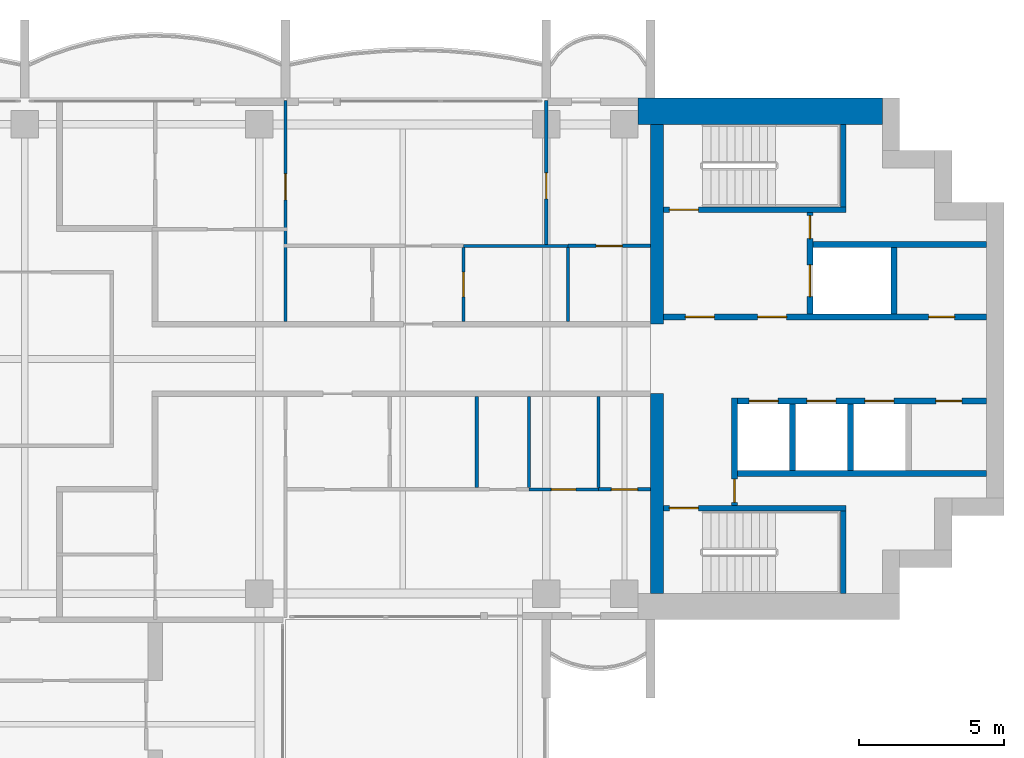
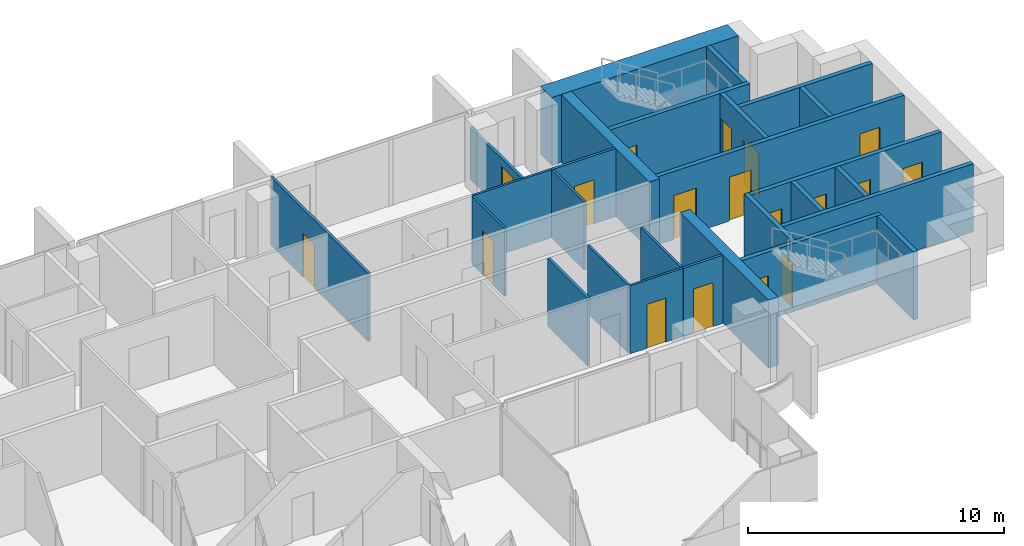
# One storey, part 12 of 17: 27 walls, 18 doors, 18 openings.
"""IFC4 building model written with IfcOpenShell, lengths in metres."""

from ifc_helpers import new_model, si_unit, direction, frame, frame_2d, origin, place, context, subcontext, project, spatial, rectangle, extrude, material, layer, layer_set, type_object, element, fill, save


model = new_model("IFC4")

# Units and contexts
model_context = context("Model", 3, precision=1e-05, world=origin(), true_north=direction((0.0, 1.0)))
body_context = subcontext(model_context, "Body", "Model", "MODEL_VIEW")
ifc_project = project(units=[si_unit("LENGTHUNIT", "METRE"), si_unit("AREAUNIT", "SQUARE_METRE"), si_unit("VOLUMEUNIT", "CUBIC_METRE"), si_unit("PLANEANGLEUNIT", "RADIAN"), si_unit("MASSUNIT", "GRAM", prefix="KILO")], contexts=[model_context])

# Site, building, storey
site_placement = place(None, origin())
site = spatial("IfcSite", under=ifc_project, at=site_placement, CompositionType="ELEMENT")
building_placement = place(site_placement, origin())
building = spatial("IfcBuilding", under=site, at=building_placement, Name="Perihelion Cross Residences", CompositionType="ELEMENT")
storey_placement = place(building_placement, frame((0.0, 0.0, 184.10009765625)))
storey = spatial("IfcBuildingStorey", under=building, at=storey_placement, Name="L45", CompositionType="ELEMENT", Elevation=184.10009765625)

# Walls
ifc_material_1 = material(Name="Concrete C60/75", Category="concrete")
ifc_layer_1 = layer(ifc_material_1, 0.449951171875)
ifc_layer_set_1 = layer_set([ifc_layer_1], Name="Core wall, inner 450")
wall_type_1 = type_object("IfcWallType", Name="Core wall, inner 450", PredefinedType="SHEAR", material=ifc_layer_set_1)
for number, where, z_axis, x_axis, name in (
    (1, (21.824951171875, -8.10009765625, 0.0), (0.0, 0.0, 1.0), (0.0, 1.0, 0.0), "East core core wall, inner"),
    (2, (21.824951171875, 1.199951171875, 0.0), (0.0, 0.0, 1.0), (0.0, 1.0, 0.0), "East core core wall, inner"),
):
    element("IfcWall", number, at=place(storey_placement, frame(where, z_axis=z_axis, x_axis=x_axis)), inside=storey, type_object=wall_type_1, Name=name, PredefinedType="SHEAR", context=body_context, shape_type="SweptSolid", body=[
        extrude(rectangle(XDim=6.900146484375, YDim=0.449951171875, at=frame_2d((3.4501953125, 0.0))), origin(), (0.0, 0.0, 1.0), 3.25),
    ])
ifc_material_2 = material(Name="Concrete C60/75", Category="concrete")
ifc_layer_2 = layer(ifc_material_2, 0.89990234375)
ifc_layer_set_2 = layer_set([ifc_layer_2], Name="Core wall, outer 900")
wall_type_2 = type_object("IfcWallType", Name="Core wall, outer 900", PredefinedType="SHEAR", material=ifc_layer_set_2)
wall_1_placement = place(storey_placement, frame((21.175048828125, 8.550048828125, 0.0), z_axis=(0.0, 0.0, 1.0), x_axis=(1.0, 0.0, 0.0)))
element("IfcWall", 3, at=wall_1_placement, inside=storey, type_object=wall_type_2, Name="East core core wall, outer", PredefinedType="SHEAR", context=body_context, shape_type="SweptSolid", body=[
    extrude(rectangle(XDim=8.425048828125, YDim=0.89990234375, at=frame_2d((4.21240234375, 0.0))), origin(), (0.0, 0.0, 1.0), 3.25),
])

# Wall, opening, door
ifc_material_3 = material(Name="Concrete C50/60", Category="concrete")
ifc_layer_3 = layer(ifc_material_3, 0.199951171875)
ifc_layer_set_3 = layer_set([ifc_layer_3], Name="Lobby wall 200")
wall_type_3 = type_object("IfcWallType", Name="Lobby wall 200", PredefinedType="SOLIDWALL", material=ifc_layer_set_3)
wall_2_placement = place(storey_placement, frame((24.5, -5.050048828125, 0.0), z_axis=(0.0, 0.0, 1.0), x_axis=(0.0, 1.0, 0.0)))
wall_2 = element("IfcWall", 4, at=wall_2_placement, inside=storey, type_object=wall_type_3, Name="East core lobby wall", PredefinedType="SOLIDWALL", context=body_context, shape_type="SweptSolid", body=[
    extrude(rectangle(XDim=3.699951171875, YDim=0.199951171875, at=frame_2d((1.85009765625, 0.0))), origin(), (0.0, 0.0, 1.0), 3.25),
])
opening_1_placement = place(wall_2_placement, frame((0.10009765625, 0.0, 0.0)))
opening_1 = element("IfcOpeningElement", 5, at=opening_1_placement, cuts=wall_2, Name="Opening L45.C08", PredefinedType="OPENING", context=body_context, shape_type="SweptSolid", body=[
    extrude(rectangle(XDim=0.800048828125, YDim=2.10009765625, at=frame_2d((0.39990234375, 1.050048828125))), frame((0.0, 0.10986328125, 0.0), z_axis=(0.0, -1.0, 0.0), x_axis=(1.0, 0.0, 0.0)), (0.0, 0.0, 1.0), 0.219970703125),
])
ifc_material_4 = material(Name="Steel, powder coated", Category="steel")
door_type_1 = type_object("IfcDoorType", Name="Riser door 800", OperationType="SINGLE_SWING_LEFT", PredefinedType="DOOR", material=ifc_material_4)
door_1_placement = place(opening_1_placement, origin())
door_1 = element("IfcDoor", 6, at=door_1_placement, inside=storey, type_object=door_type_1, Name="East core riser door", OperationType="SINGLE_SWING_LEFT", OverallHeight=2.10009765625, OverallWidth=0.800048828125, PredefinedType="DOOR", context=body_context, shape_type="SweptSolid", body=[
    extrude(rectangle(XDim=0.800048828125, YDim=2.10009765625, at=frame_2d((0.39990234375, 1.050048828125))), frame((0.0, 0.02490234375, 0.0), z_axis=(0.0, -1.0, 0.0), x_axis=(1.0, 0.0, 0.0)), (0.0, 0.0, 1.0), 0.050048828125),
])
fill(opening_1, door_1)

ifc_material_5 = material(Name="Plasterboard partition")
ifc_layer_4 = layer(ifc_material_5, 0.1201171875)
ifc_layer_set_4 = layer_set([ifc_layer_4], Name="Partition wall 120")
wall_type_4 = type_object("IfcWallType", Name="Partition wall 120", PredefinedType="PARTITIONING", material=ifc_layer_set_4)
wall_3_placement = place(storey_placement, frame((9.0, 1.300048828125, 0.0), z_axis=(0.0, 0.0, 1.0), x_axis=(0.0, 1.0, 0.0)))
wall_3 = element("IfcWall", 7, at=wall_3_placement, inside=storey, type_object=wall_type_4, Name="Partition L45 W024", PredefinedType="PARTITIONING", context=body_context, shape_type="SweptSolid", body=[
    extrude(rectangle(XDim=7.619873046875, YDim=0.1201171875, at=frame_2d((3.81005859375, 0.0))), origin(), (0.0, 0.0, 1.0), 3.25),
])
opening_2_placement = place(wall_3_placement, frame((4.18798828125, 0.0, 0.0)))
opening_2 = element("IfcOpeningElement", 8, at=opening_2_placement, cuts=wall_3, Name="Opening L45.A06", PredefinedType="OPENING", context=body_context, shape_type="SweptSolid", body=[
    extrude(rectangle(XDim=0.89990234375, YDim=2.10009765625, at=frame_2d((0.449951171875, 1.050048828125))), frame((0.0, 0.070068359375, 0.0), z_axis=(0.0, -1.0, 0.0), x_axis=(1.0, 0.0, 0.0)), (0.0, 0.0, 1.0), 0.14013671875),
])
ifc_material_6 = material(Name="Timber door leaf", Category="wood")
door_type_2 = type_object("IfcDoorType", Name="Interior room door 900 x 2100", OperationType="SINGLE_SWING_LEFT", PredefinedType="DOOR", material=ifc_material_6)
door_2_placement = place(opening_2_placement, origin())
door_2 = element("IfcDoor", 9, at=door_2_placement, inside=storey, type_object=door_type_2, Name="Door L45.A06", OperationType="SINGLE_SWING_RIGHT", OverallHeight=2.10009765625, OverallWidth=0.89990234375, PredefinedType="DOOR", context=body_context, shape_type="SweptSolid", body=[
    extrude(rectangle(XDim=0.89990234375, YDim=2.10009765625, at=frame_2d((0.449951171875, 1.050048828125))), frame((0.0, 0.02490234375, 0.0), z_axis=(0.0, -1.0, 0.0), x_axis=(1.0, 0.0, 0.0)), (0.0, 0.0, 1.0), 0.050048828125),
])
fill(opening_2, door_2)

wall_4_placement = place(storey_placement, frame((18.75, 3.89990234375, 0.0), z_axis=(0.0, 0.0, 1.0), x_axis=(1.0, 0.0, 0.0)))
wall_4 = element("IfcWall", 10, at=wall_4_placement, inside=storey, type_object=wall_type_4, Name="Partition L45 W028", PredefinedType="PARTITIONING", context=body_context, shape_type="SweptSolid", body=[
    extrude(rectangle(XDim=2.85009765625, YDim=0.1201171875, at=frame_2d((1.425048828125, 0.0))), origin(), (0.0, 0.0, 1.0), 3.25),
])
opening_3_placement = place(wall_4_placement, frame((0.97509765625, 0.0, 0.0)))
opening_3 = element("IfcOpeningElement", 11, at=opening_3_placement, cuts=wall_4, Name="Opening L45.A09", PredefinedType="OPENING", context=body_context, shape_type="SweptSolid", body=[
    extrude(rectangle(XDim=0.89990234375, YDim=2.10009765625, at=frame_2d((0.449951171875, 1.050048828125))), frame((0.0, 0.070068359375, 0.0), z_axis=(0.0, -1.0, 0.0), x_axis=(1.0, 0.0, 0.0)), (0.0, 0.0, 1.0), 0.14013671875),
])
door_3_placement = place(opening_3_placement, origin())
door_3 = element("IfcDoor", 12, at=door_3_placement, inside=storey, type_object=door_type_2, Name="Door L45.A09", OperationType="SINGLE_SWING_RIGHT", OverallHeight=2.10009765625, OverallWidth=0.89990234375, PredefinedType="DOOR", context=body_context, shape_type="SweptSolid", body=[
    extrude(rectangle(XDim=0.89990234375, YDim=2.10009765625, at=frame_2d((0.449951171875, 1.050048828125))), frame((0.0, 0.02490234375, 0.0), z_axis=(0.0, -1.0, 0.0), x_axis=(1.0, 0.0, 0.0)), (0.0, 0.0, 1.0), 0.050048828125),
])
fill(opening_3, door_3)

wall_5_placement = place(storey_placement, frame((18.0, 8.919921875, 0.0), z_axis=(0.0, 0.0, 1.0), x_axis=(0.0, -1.0, 0.0)))
wall_5 = element("IfcWall", 13, at=wall_5_placement, inside=storey, type_object=wall_type_4, Name="Partition L45 W029", PredefinedType="PARTITIONING", context=body_context, shape_type="SweptSolid", body=[
    extrude(rectangle(XDim=4.969970703125, YDim=0.1201171875, at=frame_2d((2.48486328125, 0.0))), origin(), (0.0, 0.0, 1.0), 2.47998046875),
])
opening_4_placement = place(wall_5_placement, frame((2.4951171875, 0.0, 0.0)))
opening_4 = element("IfcOpeningElement", 14, at=opening_4_placement, cuts=wall_5, Name="Opening L45.A02", PredefinedType="OPENING", context=body_context, shape_type="SweptSolid", body=[
    extrude(rectangle(XDim=0.89990234375, YDim=2.10009765625, at=frame_2d((0.449951171875, 1.050048828125))), frame((0.0, 0.070068359375, 0.0), z_axis=(0.0, -1.0, 0.0), x_axis=(1.0, 0.0, 0.0)), (0.0, 0.0, 1.0), 0.14013671875),
])
door_4_placement = place(opening_4_placement, origin())
door_4 = element("IfcDoor", 15, at=door_4_placement, inside=storey, type_object=door_type_2, Name="Door L45.A02", OperationType="SINGLE_SWING_LEFT", OverallHeight=2.10009765625, OverallWidth=0.89990234375, PredefinedType="DOOR", context=body_context, shape_type="SweptSolid", body=[
    extrude(rectangle(XDim=0.89990234375, YDim=2.10009765625, at=frame_2d((0.449951171875, 1.050048828125))), frame((0.0, 0.02490234375, 0.0), z_axis=(0.0, -1.0, 0.0), x_axis=(1.0, 0.0, 0.0)), (0.0, 0.0, 1.0), 0.050048828125),
])
fill(opening_4, door_4)

# Wall
wall_6_placement = place(storey_placement, frame((15.60009765625, -1.300048828125, 0.0), z_axis=(0.0, 0.0, 1.0), x_axis=(0.0, -1.0, 0.0)))
element("IfcWall", 16, at=wall_6_placement, inside=storey, type_object=wall_type_4, Name="Partition L45 W035", PredefinedType="PARTITIONING", context=body_context, shape_type="SweptSolid", body=[
    extrude(rectangle(XDim=3.139892578125, YDim=0.1201171875, at=frame_2d((1.56982421875, 0.0))), origin(), (0.0, 0.0, 1.0), 3.25),
])

# Wall, opening, door
wall_7_placement = place(storey_placement, frame((21.60009765625, -4.5, 0.0), z_axis=(0.0, 0.0, 1.0), x_axis=(-1.0, 0.0, 0.0)))
wall_7 = element("IfcWall", 17, at=wall_7_placement, inside=storey, type_object=wall_type_4, Name="Partition L45 W039", PredefinedType="PARTITIONING", context=body_context, shape_type="SweptSolid", body=[
    extrude(rectangle(XDim=1.800048828125, YDim=0.1201171875, at=frame_2d((0.89990234375, 0.0))), origin(), (0.0, 0.0, 1.0), 3.25),
])
opening_5_placement = place(wall_7_placement, frame((0.449951171875, 0.0, 0.0)))
opening_5 = element("IfcOpeningElement", 18, at=opening_5_placement, cuts=wall_7, Name="Opening L45.A11", PredefinedType="OPENING", context=body_context, shape_type="SweptSolid", body=[
    extrude(rectangle(XDim=0.89990234375, YDim=2.10009765625, at=frame_2d((0.449951171875, 1.050048828125))), frame((0.0, 0.070068359375, 0.0), z_axis=(0.0, -1.0, 0.0), x_axis=(1.0, 0.0, 0.0)), (0.0, 0.0, 1.0), 0.14013671875),
])
door_5_placement = place(opening_5_placement, origin())
door_5 = element("IfcDoor", 19, at=door_5_placement, inside=storey, type_object=door_type_2, Name="Door L45.A11", OperationType="SINGLE_SWING_LEFT", OverallHeight=2.10009765625, OverallWidth=0.89990234375, PredefinedType="DOOR", context=body_context, shape_type="SweptSolid", body=[
    extrude(rectangle(XDim=0.89990234375, YDim=2.10009765625, at=frame_2d((0.449951171875, 1.050048828125))), frame((0.0, 0.02490234375, 0.0), z_axis=(0.0, -1.0, 0.0), x_axis=(1.0, 0.0, 0.0)), (0.0, 0.0, 1.0), 0.050048828125),
])
fill(opening_5, door_5)

# Wall, openings, doors
ifc_material_7 = material(Name="Concrete C50/60", Category="concrete")
ifc_layer_5 = layer(ifc_material_7, 0.199951171875)
ifc_layer_set_5 = layer_set([ifc_layer_5], Name="Shaft wall 200")
wall_type_5 = type_object("IfcWallType", Name="Shaft wall 200", PredefinedType="SOLIDWALL", material=ifc_layer_set_5)
wall_8_placement = place(storey_placement, frame((22.050048828125, 1.449951171875, 0.0), z_axis=(0.0, 0.0, 1.0), x_axis=(1.0, 0.0, 0.0)))
wall_8 = element("IfcWall", 20, at=wall_8_placement, inside=storey, type_object=wall_type_5, Name="East core shaft wall", PredefinedType="SOLIDWALL", context=body_context, shape_type="SweptSolid", body=[
    extrude(rectangle(XDim=11.14990234375, YDim=0.199951171875, at=frame_2d((5.574951171875, 0.0))), origin(), (0.0, 0.0, 1.0), 3.25),
])
opening_6_placement = place(wall_8_placement, frame((0.75, 0.0, 0.0)))
opening_6 = element("IfcOpeningElement", 21, at=opening_6_placement, cuts=wall_8, Name="Opening L45.C07", PredefinedType="OPENING", context=body_context, shape_type="SweptSolid", body=[
    extrude(rectangle(XDim=1.0, YDim=2.10009765625, at=frame_2d((0.5, 1.050048828125))), frame((0.0, 0.10986328125, 0.0), z_axis=(0.0, -1.0, 0.0), x_axis=(1.0, 0.0, 0.0)), (0.0, 0.0, 1.0), 0.219970703125),
])
opening_7_placement = place(wall_8_placement, frame((3.25, 0.0, 0.0)))
opening_7 = element("IfcOpeningElement", 22, at=opening_7_placement, cuts=wall_8, Name="Opening L45.C09", PredefinedType="OPENING", context=body_context, shape_type="SweptSolid", body=[
    extrude(rectangle(XDim=1.0, YDim=2.10009765625, at=frame_2d((0.5, 1.050048828125))), frame((0.0, 0.10986328125, 0.0), z_axis=(0.0, -1.0, 0.0), x_axis=(1.0, 0.0, 0.0)), (0.0, 0.0, 1.0), 0.219970703125),
])
opening_8_placement = place(wall_8_placement, frame((9.14990234375, 0.0, 0.0)))
opening_8 = element("IfcOpeningElement", 23, at=opening_8_placement, cuts=wall_8, Name="Opening L45.C11", PredefinedType="OPENING", context=body_context, shape_type="SweptSolid", body=[
    extrude(rectangle(XDim=0.89990234375, YDim=2.10009765625, at=frame_2d((0.449951171875, 1.050048828125))), frame((0.0, 0.10986328125, 0.0), z_axis=(0.0, -1.0, 0.0), x_axis=(1.0, 0.0, 0.0)), (0.0, 0.0, 1.0), 0.219970703125),
])
ifc_material_8 = material(Name="Steel, powder coated", Category="steel")
door_type_3 = type_object("IfcDoorType", Name="Lobby door 1000", OperationType="SINGLE_SWING_LEFT", PredefinedType="DOOR", material=ifc_material_8)
door_6_placement = place(opening_6_placement, origin())
door_6 = element("IfcDoor", 24, at=door_6_placement, inside=storey, type_object=door_type_3, Name="East core firefighting lobby door", OperationType="SINGLE_SWING_LEFT", OverallHeight=2.10009765625, OverallWidth=1.0, PredefinedType="DOOR", context=body_context, shape_type="SweptSolid", body=[
    extrude(rectangle(XDim=1.0, YDim=2.10009765625, at=frame_2d((0.5, 1.050048828125))), frame((0.0, 0.02490234375, 0.0), z_axis=(0.0, -1.0, 0.0), x_axis=(1.0, 0.0, 0.0)), (0.0, 0.0, 1.0), 0.050048828125),
])
fill(opening_6, door_6)
door_7_placement = place(opening_7_placement, origin())
door_7 = element("IfcDoor", 25, at=door_7_placement, inside=storey, type_object=door_type_3, Name="East core firefighting lobby door", OperationType="SINGLE_SWING_LEFT", OverallHeight=2.10009765625, OverallWidth=1.0, PredefinedType="DOOR", context=body_context, shape_type="SweptSolid", body=[
    extrude(rectangle(XDim=1.0, YDim=2.10009765625, at=frame_2d((0.5, 1.050048828125))), frame((0.0, 0.02490234375, 0.0), z_axis=(0.0, -1.0, 0.0), x_axis=(1.0, 0.0, 0.0)), (0.0, 0.0, 1.0), 0.050048828125),
])
fill(opening_7, door_7)
ifc_material_9 = material(Name="Steel, powder coated", Category="steel")
door_type_4 = type_object("IfcDoorType", Name="Service room door 900", OperationType="SINGLE_SWING_LEFT", PredefinedType="DOOR", material=ifc_material_9)
door_8_placement = place(opening_8_placement, origin())
door_8 = element("IfcDoor", 26, at=door_8_placement, inside=storey, type_object=door_type_4, Name="East core service room door", OperationType="SINGLE_SWING_LEFT", OverallHeight=2.10009765625, OverallWidth=0.89990234375, PredefinedType="DOOR", context=body_context, shape_type="SweptSolid", body=[
    extrude(rectangle(XDim=0.89990234375, YDim=2.10009765625, at=frame_2d((0.449951171875, 1.050048828125))), frame((0.0, 0.02490234375, 0.0), z_axis=(0.0, -1.0, 0.0), x_axis=(1.0, 0.0, 0.0)), (0.0, 0.0, 1.0), 0.050048828125),
])
fill(opening_8, door_8)

wall_9_placement = place(storey_placement, frame((24.60009765625, -1.449951171875, 0.0), z_axis=(0.0, 0.0, 1.0), x_axis=(1.0, 0.0, 0.0)))
wall_9 = element("IfcWall", 27, at=wall_9_placement, inside=storey, type_object=wall_type_5, Name="East core shaft wall", PredefinedType="SOLIDWALL", context=body_context, shape_type="SweptSolid", body=[
    extrude(rectangle(XDim=8.599853515625, YDim=0.199951171875, at=frame_2d((4.2998046875, 0.0))), origin(), (0.0, 0.0, 1.0), 3.25),
])
opening_9_placement = place(wall_9_placement, frame((0.39990234375, 0.0, 0.0)))
opening_9 = element("IfcOpeningElement", 28, at=opening_9_placement, cuts=wall_9, Name="Opening L45.C01", PredefinedType="OPENING", context=body_context, shape_type="SweptSolid", body=[
    extrude(rectangle(XDim=1.0, YDim=2.10009765625, at=frame_2d((0.5, 1.050048828125))), frame((0.0, 0.10986328125, 0.0), z_axis=(0.0, -1.0, 0.0), x_axis=(1.0, 0.0, 0.0)), (0.0, 0.0, 1.0), 0.219970703125),
])
opening_10_placement = place(wall_9_placement, frame((2.39990234375, 0.0, 0.0)))
opening_10 = element("IfcOpeningElement", 29, at=opening_10_placement, cuts=wall_9, Name="Opening L45.C03", PredefinedType="OPENING", context=body_context, shape_type="SweptSolid", body=[
    extrude(rectangle(XDim=1.0, YDim=2.10009765625, at=frame_2d((0.5, 1.050048828125))), frame((0.0, 0.10986328125, 0.0), z_axis=(0.0, -1.0, 0.0), x_axis=(1.0, 0.0, 0.0)), (0.0, 0.0, 1.0), 0.219970703125),
])
opening_11_placement = place(wall_9_placement, frame((4.39990234375, 0.0, 0.0)))
opening_11 = element("IfcOpeningElement", 30, at=opening_11_placement, cuts=wall_9, Name="Opening L45.C04", PredefinedType="OPENING", context=body_context, shape_type="SweptSolid", body=[
    extrude(rectangle(XDim=1.0, YDim=2.10009765625, at=frame_2d((0.5, 1.050048828125))), frame((0.0, 0.10986328125, 0.0), z_axis=(0.0, -1.0, 0.0), x_axis=(1.0, 0.0, 0.0)), (0.0, 0.0, 1.0), 0.219970703125),
])
opening_12_placement = place(wall_9_placement, frame((6.85009765625, 0.0, 0.0)))
opening_12 = element("IfcOpeningElement", 31, at=opening_12_placement, cuts=wall_9, Name="Opening L45.C12", PredefinedType="OPENING", context=body_context, shape_type="SweptSolid", body=[
    extrude(rectangle(XDim=0.89990234375, YDim=2.10009765625, at=frame_2d((0.449951171875, 1.050048828125))), frame((0.0, 0.10986328125, 0.0), z_axis=(0.0, -1.0, 0.0), x_axis=(1.0, 0.0, 0.0)), (0.0, 0.0, 1.0), 0.219970703125),
])
ifc_material_10 = material(Name="Stainless steel", Category="steel")
door_type_5 = type_object("IfcDoorType", Name="Landing door 1000", OperationType="DOUBLE_DOOR_SLIDING", PredefinedType="DOOR", material=ifc_material_10)
door_9_placement = place(opening_9_placement, origin())
door_9 = element("IfcDoor", 32, at=door_9_placement, inside=storey, type_object=door_type_5, Name="Landing door, East core high-rise lift 1", OperationType="DOUBLE_DOOR_SLIDING", OverallHeight=2.10009765625, OverallWidth=1.0, PredefinedType="DOOR", context=body_context, shape_type="SweptSolid", body=[
    extrude(rectangle(XDim=1.0, YDim=2.10009765625, at=frame_2d((0.5, 1.050048828125))), frame((0.0, 0.02490234375, 0.0), z_axis=(0.0, -1.0, 0.0), x_axis=(1.0, 0.0, 0.0)), (0.0, 0.0, 1.0), 0.050048828125),
])
fill(opening_9, door_9)
door_10_placement = place(opening_10_placement, origin())
door_10 = element("IfcDoor", 33, at=door_10_placement, inside=storey, type_object=door_type_5, Name="Landing door, East core high-rise lift 2", OperationType="DOUBLE_DOOR_SLIDING", OverallHeight=2.10009765625, OverallWidth=1.0, PredefinedType="DOOR", context=body_context, shape_type="SweptSolid", body=[
    extrude(rectangle(XDim=1.0, YDim=2.10009765625, at=frame_2d((0.5, 1.050048828125))), frame((0.0, 0.02490234375, 0.0), z_axis=(0.0, -1.0, 0.0), x_axis=(1.0, 0.0, 0.0)), (0.0, 0.0, 1.0), 0.050048828125),
])
fill(opening_10, door_10)
door_11_placement = place(opening_11_placement, origin())
door_11 = element("IfcDoor", 34, at=door_11_placement, inside=storey, type_object=door_type_5, Name="Landing door, East core high-rise lift 3", OperationType="DOUBLE_DOOR_SLIDING", OverallHeight=2.10009765625, OverallWidth=1.0, PredefinedType="DOOR", context=body_context, shape_type="SweptSolid", body=[
    extrude(rectangle(XDim=1.0, YDim=2.10009765625, at=frame_2d((0.5, 1.050048828125))), frame((0.0, 0.02490234375, 0.0), z_axis=(0.0, -1.0, 0.0), x_axis=(1.0, 0.0, 0.0)), (0.0, 0.0, 1.0), 0.050048828125),
])
fill(opening_11, door_11)
door_12_placement = place(opening_12_placement, origin())
door_12 = element("IfcDoor", 35, at=door_12_placement, inside=storey, type_object=door_type_4, Name="East core service room door", OperationType="SINGLE_SWING_LEFT", OverallHeight=2.10009765625, OverallWidth=0.89990234375, PredefinedType="DOOR", context=body_context, shape_type="SweptSolid", body=[
    extrude(rectangle(XDim=0.89990234375, YDim=2.10009765625, at=frame_2d((0.449951171875, 1.050048828125))), frame((0.0, 0.02490234375, 0.0), z_axis=(0.0, -1.0, 0.0), x_axis=(1.0, 0.0, 0.0)), (0.0, 0.0, 1.0), 0.050048828125),
])
fill(opening_12, door_12)

# Walls
wall_10_placement = place(storey_placement, frame((27.199951171875, 3.949951171875, 0.0), z_axis=(0.0, 0.0, 1.0), x_axis=(1.0, 0.0, 0.0)))
element("IfcWall", 36, at=wall_10_placement, inside=storey, type_object=wall_type_5, Name="East core shaft wall", PredefinedType="SOLIDWALL", context=body_context, shape_type="SweptSolid", body=[
    extrude(rectangle(XDim=6.0, YDim=0.199951171875, at=frame_2d((3.0, 0.0))), origin(), (0.0, 0.0, 1.0), 3.25),
])
wall_11_placement = place(storey_placement, frame((24.60009765625, -3.949951171875, 0.0), z_axis=(0.0, 0.0, 1.0), x_axis=(1.0, 0.0, 0.0)))
element("IfcWall", 37, at=wall_11_placement, inside=storey, type_object=wall_type_5, Name="East core shaft wall", PredefinedType="SOLIDWALL", context=body_context, shape_type="SweptSolid", body=[
    extrude(rectangle(XDim=8.599853515625, YDim=0.199951171875, at=frame_2d((4.2998046875, 0.0))), origin(), (0.0, 0.0, 1.0), 3.25),
])

# Wall, openings, doors
wall_12_placement = place(storey_placement, frame((27.10009765625, 1.550048828125, 0.0), z_axis=(0.0, 0.0, 1.0), x_axis=(0.0, 1.0, 0.0)))
wall_12 = element("IfcWall", 38, at=wall_12_placement, inside=storey, type_object=wall_type_5, Name="East core shaft wall", PredefinedType="SOLIDWALL", context=body_context, shape_type="SweptSolid", body=[
    extrude(rectangle(XDim=3.5, YDim=0.199951171875, at=frame_2d((1.75, 0.0))), origin(), (0.0, 0.0, 1.0), 3.25),
])
opening_13_placement = place(wall_12_placement, frame((0.60009765625, 0.0, 0.0)))
opening_13 = element("IfcOpeningElement", 39, at=opening_13_placement, cuts=wall_12, Name="Opening L45.C02", PredefinedType="OPENING", context=body_context, shape_type="SweptSolid", body=[
    extrude(rectangle(XDim=1.10009765625, YDim=2.10009765625, at=frame_2d((0.550048828125, 1.050048828125))), frame((0.0, 0.10986328125, 0.0), z_axis=(0.0, -1.0, 0.0), x_axis=(1.0, 0.0, 0.0)), (0.0, 0.0, 1.0), 0.219970703125),
])
opening_14_placement = place(wall_12_placement, frame((2.60009765625, 0.0, 0.0)))
opening_14 = element("IfcOpeningElement", 40, at=opening_14_placement, cuts=wall_12, Name="Opening L45.C10", PredefinedType="OPENING", context=body_context, shape_type="SweptSolid", body=[
    extrude(rectangle(XDim=0.800048828125, YDim=2.10009765625, at=frame_2d((0.39990234375, 1.050048828125))), frame((0.0, 0.10986328125, 0.0), z_axis=(0.0, -1.0, 0.0), x_axis=(1.0, 0.0, 0.0)), (0.0, 0.0, 1.0), 0.219970703125),
])
ifc_material_11 = material(Name="Stainless steel", Category="steel")
door_type_6 = type_object("IfcDoorType", Name="Landing door, firefighting lift 1100", OperationType="DOUBLE_DOOR_SLIDING", PredefinedType="DOOR", material=ifc_material_11)
door_13_placement = place(opening_13_placement, origin())
door_13 = element("IfcDoor", 41, at=door_13_placement, inside=storey, type_object=door_type_6, Name="Landing door, East core firefighting and service lift", OperationType="DOUBLE_DOOR_SLIDING", OverallHeight=2.10009765625, OverallWidth=1.10009765625, PredefinedType="DOOR", context=body_context, shape_type="SweptSolid", body=[
    extrude(rectangle(XDim=1.10009765625, YDim=2.10009765625, at=frame_2d((0.550048828125, 1.050048828125))), frame((0.0, 0.02490234375, 0.0), z_axis=(0.0, -1.0, 0.0), x_axis=(1.0, 0.0, 0.0)), (0.0, 0.0, 1.0), 0.050048828125),
])
fill(opening_13, door_13)
door_14_placement = place(opening_14_placement, origin())
door_14 = element("IfcDoor", 42, at=door_14_placement, inside=storey, type_object=door_type_1, Name="East core riser door", OperationType="SINGLE_SWING_LEFT", OverallHeight=2.10009765625, OverallWidth=0.800048828125, PredefinedType="DOOR", context=body_context, shape_type="SweptSolid", body=[
    extrude(rectangle(XDim=0.800048828125, YDim=2.10009765625, at=frame_2d((0.39990234375, 1.050048828125))), frame((0.0, 0.02490234375, 0.0), z_axis=(0.0, -1.0, 0.0), x_axis=(1.0, 0.0, 0.0)), (0.0, 0.0, 1.0), 0.050048828125),
])
fill(opening_14, door_14)

# Walls
for number, where, z_axis, x_axis, name in (
    (43, (30.0, 1.550048828125, 0.0), (0.0, 0.0, 1.0), (0.0, 1.0, 0.0), "East core shaft wall"),
    (44, (26.5, -3.85009765625, 0.0), (0.0, 0.0, 1.0), (0.0, 1.0, 0.0), "East core shaft wall"),
    (45, (28.5, -3.85009765625, 0.0), (0.0, 0.0, 1.0), (0.0, 1.0, 0.0), "East core shaft wall"),
):
    element("IfcWall", number, at=place(storey_placement, frame(where, z_axis=z_axis, x_axis=x_axis)), inside=storey, type_object=wall_type_5, Name=name, PredefinedType="SOLIDWALL", context=body_context, shape_type="SweptSolid", body=[
        extrude(rectangle(XDim=2.300048828125, YDim=0.199951171875, at=frame_2d((1.14990234375, 0.0))), origin(), (0.0, 0.0, 1.0), 3.25),
    ])

# Wall, opening, door
ifc_material_12 = material(Name="Concrete C50/60", Category="concrete")
ifc_layer_6 = layer(ifc_material_12, 0.199951171875)
ifc_layer_set_6 = layer_set([ifc_layer_6], Name="Stair wall 200")
wall_type_6 = type_object("IfcWallType", Name="Stair wall 200", PredefinedType="SOLIDWALL", material=ifc_layer_set_6)
wall_13_placement = place(storey_placement, frame((22.050048828125, 5.14990234375, 0.0), z_axis=(0.0, 0.0, 1.0), x_axis=(1.0, 0.0, 0.0)))
wall_13 = element("IfcWall", 46, at=wall_13_placement, inside=storey, type_object=wall_type_6, Name="East core stair wall", PredefinedType="SOLIDWALL", context=body_context, shape_type="SweptSolid", body=[
    extrude(rectangle(XDim=6.300048828125, YDim=0.199951171875, at=frame_2d((3.14990234375, 0.0))), origin(), (0.0, 0.0, 1.0), 3.25),
])
opening_15_placement = place(wall_13_placement, frame((0.199951171875, 0.0, 0.0)))
opening_15 = element("IfcOpeningElement", 47, at=opening_15_placement, cuts=wall_13, Name="Opening L45.C06", PredefinedType="OPENING", context=body_context, shape_type="SweptSolid", body=[
    extrude(rectangle(XDim=1.0, YDim=2.10009765625, at=frame_2d((0.5, 1.050048828125))), frame((0.0, 0.10986328125, 0.0), z_axis=(0.0, -1.0, 0.0), x_axis=(1.0, 0.0, 0.0)), (0.0, 0.0, 1.0), 0.219970703125),
])
ifc_material_13 = material(Name="Steel, powder coated", Category="steel")
door_type_7 = type_object("IfcDoorType", Name="Stair door 1000", OperationType="SINGLE_SWING_LEFT", PredefinedType="DOOR", material=ifc_material_13)
door_15_placement = place(opening_15_placement, origin())
door_15 = element("IfcDoor", 48, at=door_15_placement, inside=storey, type_object=door_type_7, Name="East core stair door", OperationType="SINGLE_SWING_LEFT", OverallHeight=2.10009765625, OverallWidth=1.0, PredefinedType="DOOR", context=body_context, shape_type="SweptSolid", body=[
    extrude(rectangle(XDim=1.0, YDim=2.10009765625, at=frame_2d((0.5, 1.050048828125))), frame((0.0, 0.02490234375, 0.0), z_axis=(0.0, -1.0, 0.0), x_axis=(1.0, 0.0, 0.0)), (0.0, 0.0, 1.0), 0.050048828125),
])
fill(opening_15, door_15)

wall_14_placement = place(storey_placement, frame((22.050048828125, -5.14990234375, 0.0), z_axis=(0.0, 0.0, 1.0), x_axis=(1.0, 0.0, 0.0)))
wall_14 = element("IfcWall", 49, at=wall_14_placement, inside=storey, type_object=wall_type_6, Name="East core stair wall", PredefinedType="SOLIDWALL", context=body_context, shape_type="SweptSolid", body=[
    extrude(rectangle(XDim=6.300048828125, YDim=0.199951171875, at=frame_2d((3.14990234375, 0.0))), origin(), (0.0, 0.0, 1.0), 3.25),
])
opening_16_placement = place(wall_14_placement, frame((0.199951171875, 0.0, 0.0)))
opening_16 = element("IfcOpeningElement", 50, at=opening_16_placement, cuts=wall_14, Name="Opening L45.C05", PredefinedType="OPENING", context=body_context, shape_type="SweptSolid", body=[
    extrude(rectangle(XDim=1.0, YDim=2.10009765625, at=frame_2d((0.5, 1.050048828125))), frame((0.0, 0.10986328125, 0.0), z_axis=(0.0, -1.0, 0.0), x_axis=(1.0, 0.0, 0.0)), (0.0, 0.0, 1.0), 0.219970703125),
])
door_16_placement = place(opening_16_placement, origin())
door_16 = element("IfcDoor", 51, at=door_16_placement, inside=storey, type_object=door_type_7, Name="East core stair door", OperationType="SINGLE_SWING_LEFT", OverallHeight=2.10009765625, OverallWidth=1.0, PredefinedType="DOOR", context=body_context, shape_type="SweptSolid", body=[
    extrude(rectangle(XDim=1.0, YDim=2.10009765625, at=frame_2d((0.5, 1.050048828125))), frame((0.0, 0.02490234375, 0.0), z_axis=(0.0, -1.0, 0.0), x_axis=(1.0, 0.0, 0.0)), (0.0, 0.0, 1.0), 0.050048828125),
])
fill(opening_16, door_16)

# Walls
for number, where, z_axis, x_axis, name in (
    (52, (28.25, 5.25, 0.0), (0.0, 0.0, 1.0), (0.0, 1.0, 0.0), "East core stair wall"),
    (53, (28.25, -8.10009765625, 0.0), (0.0, 0.0, 1.0), (0.0, 1.0, 0.0), "East core stair wall"),
):
    element("IfcWall", number, at=place(storey_placement, frame(where, z_axis=z_axis, x_axis=x_axis)), inside=storey, type_object=wall_type_6, Name=name, PredefinedType="SOLIDWALL", context=body_context, shape_type="SweptSolid", body=[
        extrude(rectangle(XDim=2.85009765625, YDim=0.199951171875, at=frame_2d((1.425048828125, 0.0))), origin(), (0.0, 0.0, 1.0), 3.25),
    ])

# Wall, opening, door
ifc_material_14 = material(Name="Plasterboard partition")
ifc_layer_7 = layer(ifc_material_14, 0.10009765625)
ifc_layer_set_7 = layer_set([ifc_layer_7], Name="Wet room wall 100")
wall_type_7 = type_object("IfcWallType", Name="Wet room wall 100", PredefinedType="PARTITIONING", material=ifc_layer_set_7)
wall_15_placement = place(storey_placement, frame((15.14990234375, 3.840087890625, 0.0), z_axis=(0.0, 0.0, 1.0), x_axis=(0.0, -1.0, 0.0)))
wall_15 = element("IfcWall", 54, at=wall_15_placement, inside=storey, type_object=wall_type_7, Name="Partition L45 W025", PredefinedType="PARTITIONING", context=body_context, shape_type="SweptSolid", body=[
    extrude(rectangle(XDim=2.5400390625, YDim=0.10009765625, at=frame_2d((1.27001953125, 0.0))), origin(), (0.0, 0.0, 1.0), 3.25),
])
opening_17_placement = place(wall_15_placement, frame((0.844970703125, 0.0, 0.0)))
opening_17 = element("IfcOpeningElement", 55, at=opening_17_placement, cuts=wall_15, Name="Opening L45.A07", PredefinedType="OPENING", context=body_context, shape_type="SweptSolid", body=[
    extrude(rectangle(XDim=0.85009765625, YDim=2.10009765625, at=frame_2d((0.425048828125, 1.050048828125))), frame((0.0, 0.06005859375, 0.0), z_axis=(0.0, -1.0, 0.0), x_axis=(1.0, 0.0, 0.0)), (0.0, 0.0, 1.0), 0.1201171875),
])
ifc_material_15 = material(Name="Timber door leaf", Category="wood")
door_type_8 = type_object("IfcDoorType", Name="Interior bathroom door 850 x 2100", OperationType="SINGLE_SWING_LEFT", PredefinedType="DOOR", material=ifc_material_15)
door_17_placement = place(opening_17_placement, origin())
door_17 = element("IfcDoor", 56, at=door_17_placement, inside=storey, type_object=door_type_8, Name="Door L45.A07", OperationType="SINGLE_SWING_RIGHT", OverallHeight=2.10009765625, OverallWidth=0.85009765625, PredefinedType="DOOR", context=body_context, shape_type="SweptSolid", body=[
    extrude(rectangle(XDim=0.85009765625, YDim=2.10009765625, at=frame_2d((0.425048828125, 1.050048828125))), frame((0.0, 0.02490234375, 0.0), z_axis=(0.0, -1.0, 0.0), x_axis=(1.0, 0.0, 0.0)), (0.0, 0.0, 1.0), 0.050048828125),
])
fill(opening_17, door_17)

# Walls
wall_16_placement = place(storey_placement, frame((18.75, 3.840087890625, 0.0), z_axis=(0.0, 0.0, 1.0), x_axis=(0.0, -1.0, 0.0)))
element("IfcWall", 57, at=wall_16_placement, inside=storey, type_object=wall_type_7, Name="Partition L45 W026", PredefinedType="PARTITIONING", context=body_context, shape_type="SweptSolid", body=[
    extrude(rectangle(XDim=2.5400390625, YDim=0.10009765625, at=frame_2d((1.27001953125, 0.0))), origin(), (0.0, 0.0, 1.0), 3.25),
])
wall_17_placement = place(storey_placement, frame((15.14990234375, 3.89990234375, 0.0), z_axis=(0.0, 0.0, 1.0), x_axis=(1.0, 0.0, 0.0)))
element("IfcWall", 58, at=wall_17_placement, inside=storey, type_object=wall_type_7, Name="Partition L45 W027", PredefinedType="PARTITIONING", context=body_context, shape_type="SweptSolid", body=[
    extrude(rectangle(XDim=3.60009765625, YDim=0.10009765625, at=frame_2d((1.800048828125, 0.0))), origin(), (0.0, 0.0, 1.0), 3.25),
])
for number, where, z_axis, x_axis, name in (
    (59, (17.39990234375, -1.300048828125, 0.0), (0.0, 0.0, 1.0), (0.0, -1.0, 0.0), "Partition L45 W036"),
    (60, (19.800048828125, -1.300048828125, 0.0), (0.0, 0.0, 1.0), (0.0, -1.0, 0.0), "Partition L45 W037"),
):
    element("IfcWall", number, at=place(storey_placement, frame(where, z_axis=z_axis, x_axis=x_axis)), inside=storey, type_object=wall_type_7, Name=name, PredefinedType="PARTITIONING", context=body_context, shape_type="SweptSolid", body=[
        extrude(rectangle(XDim=3.139892578125, YDim=0.10009765625, at=frame_2d((1.56982421875, 0.0))), origin(), (0.0, 0.0, 1.0), 3.25),
    ])

# Wall, opening, door
wall_18_placement = place(storey_placement, frame((19.800048828125, -4.5, 0.0), z_axis=(0.0, 0.0, 1.0), x_axis=(-1.0, 0.0, 0.0)))
wall_18 = element("IfcWall", 61, at=wall_18_placement, inside=storey, type_object=wall_type_7, Name="Partition L45 W038", PredefinedType="PARTITIONING", context=body_context, shape_type="SweptSolid", body=[
    extrude(rectangle(XDim=2.400146484375, YDim=0.10009765625, at=frame_2d((1.2001953125, 0.0))), origin(), (0.0, 0.0, 1.0), 3.25),
])
opening_18_placement = place(wall_18_placement, frame((0.77490234375, 0.0, 0.0)))
opening_18 = element("IfcOpeningElement", 62, at=opening_18_placement, cuts=wall_18, Name="Opening L45.A10", PredefinedType="OPENING", context=body_context, shape_type="SweptSolid", body=[
    extrude(rectangle(XDim=0.85009765625, YDim=2.10009765625, at=frame_2d((0.425048828125, 1.050048828125))), frame((0.0, 0.06005859375, 0.0), z_axis=(0.0, -1.0, 0.0), x_axis=(1.0, 0.0, 0.0)), (0.0, 0.0, 1.0), 0.1201171875),
])
door_18_placement = place(opening_18_placement, origin())
door_18 = element("IfcDoor", 63, at=door_18_placement, inside=storey, type_object=door_type_8, Name="Door L45.A10", OperationType="SINGLE_SWING_RIGHT", OverallHeight=2.10009765625, OverallWidth=0.85009765625, PredefinedType="DOOR", context=body_context, shape_type="SweptSolid", body=[
    extrude(rectangle(XDim=0.85009765625, YDim=2.10009765625, at=frame_2d((0.425048828125, 1.050048828125))), frame((0.0, 0.02490234375, 0.0), z_axis=(0.0, -1.0, 0.0), x_axis=(1.0, 0.0, 0.0)), (0.0, 0.0, 1.0), 0.050048828125),
])
fill(opening_18, door_18)

save(model, "model.ifc")
